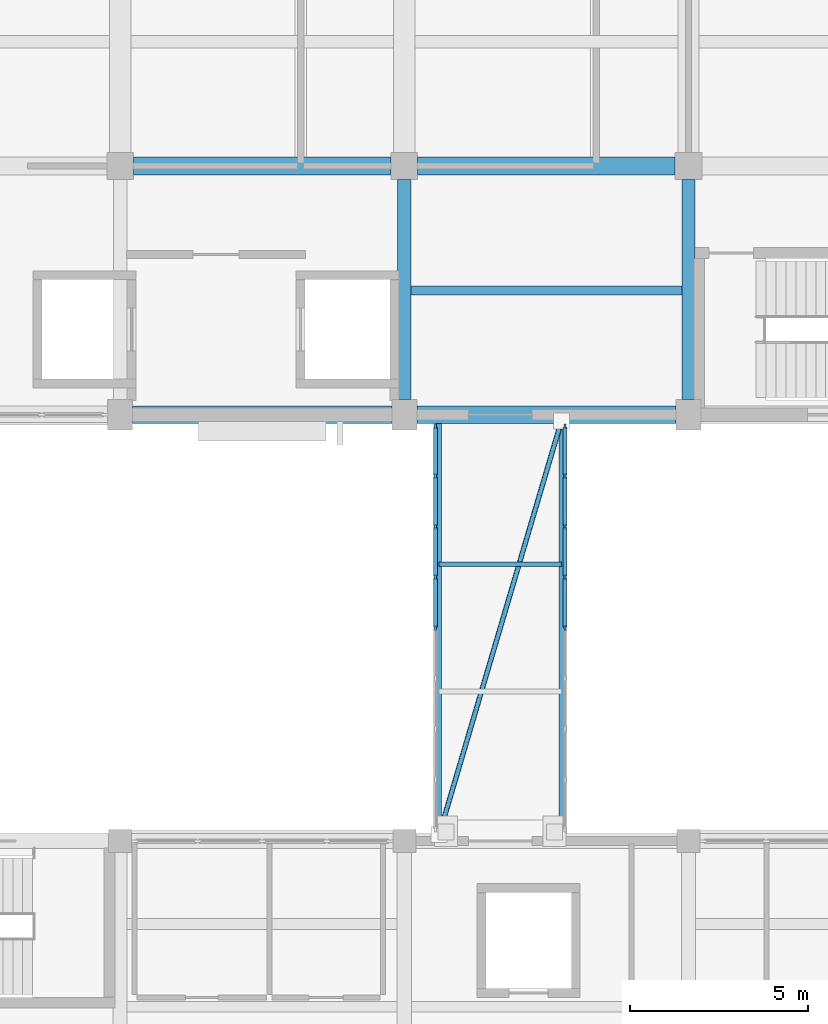
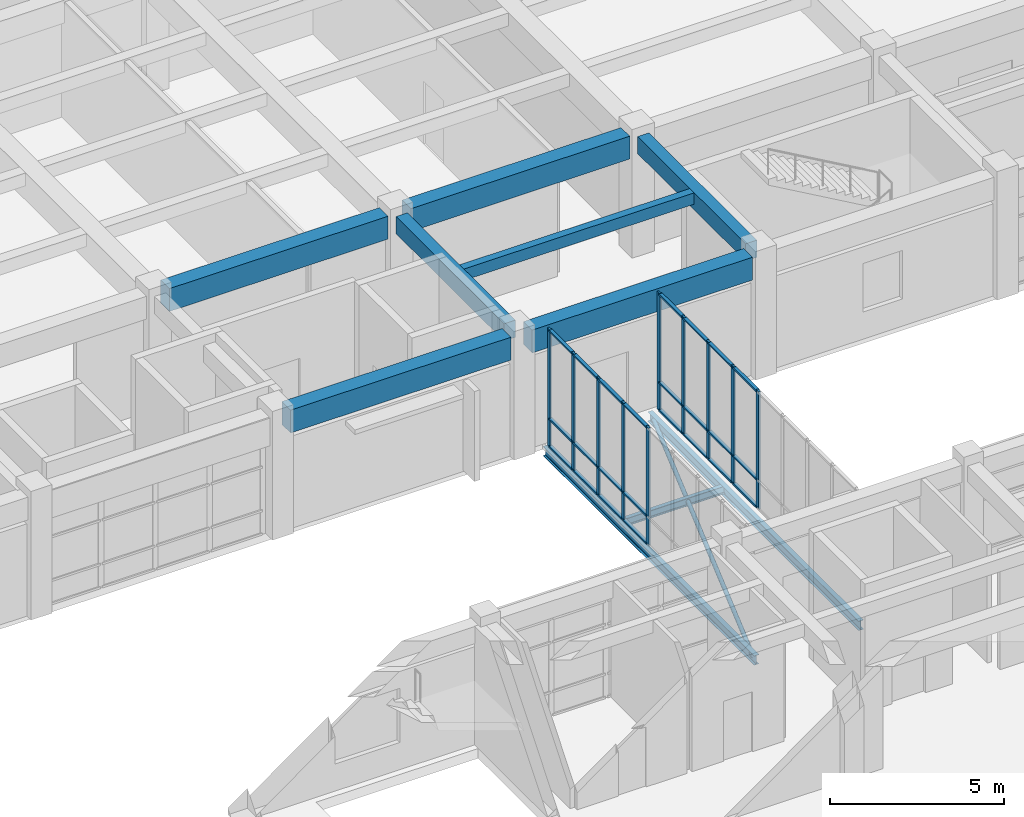
# One storey, part 25 of 72: 35 members, 10 beams, 2 elements without a shape of their own.
"""IFC4 building model written with IfcOpenShell, lengths in metres."""

from ifc_helpers import new_model, si_unit, direction, frame, origin, origin_2d, place, context, subcontext, project, spatial, rectangle, hollow_circle, i_section, extrude, material, layer, layer_set, material_profile, profile_set, type_object, element, aggregate, save


model = new_model("IFC4")

# Units and contexts
model_context = context("Model", 3, precision=1e-05, world=origin(), true_north=direction((0.0, 1.0)))
body_context = subcontext(model_context, "Body", "Model", "MODEL_VIEW")
ifc_project = project(units=[si_unit("LENGTHUNIT", "METRE"), si_unit("AREAUNIT", "SQUARE_METRE"), si_unit("VOLUMEUNIT", "CUBIC_METRE"), si_unit("PLANEANGLEUNIT", "RADIAN"), si_unit("MASSUNIT", "GRAM", prefix="KILO")], contexts=[model_context])

# Site, building, storey
site_placement = place(None, origin())
site = spatial("IfcSite", under=ifc_project, at=site_placement, CompositionType="ELEMENT")
building_placement = place(site_placement, origin())
building = spatial("IfcBuilding", under=site, at=building_placement, Name="Naurynzar Civic Courthouse", CompositionType="ELEMENT")
storey_placement = place(building_placement, frame((0.0, 0.0, 9.89990234375)))
storey = spatial("IfcBuildingStorey", under=building, at=storey_placement, Name="L03", CompositionType="ELEMENT", Elevation=9.89990234375)

# Beams
ifc_material_1 = material(Name="Concrete C40/50", Category="concrete")
ifc_material_profile_1 = material_profile(ifc_material_1, rectangle(XDim=0.25, YDim=0.39990234375, at=origin_2d()), Name="RCB 250x400")
ifc_profile_set_1 = profile_set([ifc_material_profile_1], Name="Concrete C40/50")
beam_type_1 = type_object("IfcBeamType", Name="BM-JST-250x400", PredefinedType="JOIST", material=ifc_profile_set_1)
beam_1_placement = place(storey_placement, frame((93.1875, 47.5, 4.0), z_axis=(1.0, 0.0, 0.0), x_axis=(0.0, 1.0, 0.0)))
element("IfcBeam", 1, at=beam_1_placement, inside=storey, type_object=beam_type_1, Name="V2 secondary rib 621 L03", PredefinedType="JOIST", context=body_context, shape_type="SweptSolid", body=[
    extrude(rectangle(XDim=0.25, YDim=0.39990234375, at=origin_2d()), origin(), (0.0, 0.0, 1.0), 7.625),
])
ifc_material_2 = material(Name="Concrete C40/50", Category="concrete")
ifc_material_profile_2 = material_profile(ifc_material_2, rectangle(XDim=0.375, YDim=0.60009765625, at=origin_2d()), Name="RCB 375x600")
ifc_profile_set_2 = profile_set([ifc_material_profile_2], Name="Concrete C40/50")
beam_type_2 = type_object("IfcBeamType", Name="BM-RC-375x600", PredefinedType="BEAM", material=ifc_profile_set_2)
for number, where, z_axis, x_axis, name in (
    (2, (93.0, 44.425048828125, 3.900146484375), (0.0, 1.0, 0.0), (-1.0, 0.0, 0.0), "V2 girder Y-605 L03"),
    (3, (101.0, 44.425048828125, 3.900146484375), (0.0, 1.0, 0.0), (-1.0, 0.0, 0.0), "V2 girder Y-608 L03"),
):
    element("IfcBeam", number, at=place(storey_placement, frame(where, z_axis=z_axis, x_axis=x_axis)), inside=storey, type_object=beam_type_2, Name=name, PredefinedType="BEAM", context=body_context, shape_type="SweptSolid", body=[
        extrude(rectangle(XDim=0.375, YDim=0.60009765625, at=origin_2d()), origin(), (0.0, 0.0, 1.0), 6.199951171875),
    ])
ifc_material_3 = material(Name="Concrete C40/50", Category="concrete")
ifc_material_profile_3 = material_profile(ifc_material_3, rectangle(XDim=0.5, YDim=0.800048828125, at=origin_2d()), Name="RCB 500x800")
ifc_profile_set_3 = profile_set([ifc_material_profile_3], Name="Concrete C40/50")
beam_type_3 = type_object("IfcBeamType", Name="BM-RC-500x800", PredefinedType="BEAM", material=ifc_profile_set_3)
for number, where, z_axis, x_axis, name in (
    (4, (85.35009765625, 44.0, 3.800048828125), (1.0, 0.0, 0.0), (0.0, 1.0, 0.0), "V2 beam X-564 L03"),
    (5, (93.35009765625, 44.0, 3.800048828125), (1.0, 0.0, 0.0), (0.0, 1.0, 0.0), "V2 beam X-565 L03"),
):
    element("IfcBeam", number, at=place(storey_placement, frame(where, z_axis=z_axis, x_axis=x_axis)), inside=storey, type_object=beam_type_3, Name=name, PredefinedType="BEAM", context=body_context, shape_type="SweptSolid", body=[
        extrude(rectangle(XDim=0.5, YDim=0.800048828125, at=origin_2d()), origin(), (0.0, 0.0, 1.0), 7.2998046875),
    ])
for number, where, z_axis, x_axis, name in (
    (6, (85.375, 51.0, 3.800048828125), (1.0, 0.0, 0.0), (0.0, 1.0, 0.0), "V2 beam X-572 L03"),
    (7, (93.375, 51.0, 3.800048828125), (1.0, 0.0, 0.0), (0.0, 1.0, 0.0), "V2 beam X-573 L03"),
):
    element("IfcBeam", number, at=place(storey_placement, frame(where, z_axis=z_axis, x_axis=x_axis)), inside=storey, type_object=beam_type_3, Name=name, PredefinedType="BEAM", context=body_context, shape_type="SweptSolid", body=[
        extrude(rectangle(XDim=0.5, YDim=0.800048828125, at=origin_2d()), origin(), (0.0, 0.0, 1.0), 7.25),
    ])
ifc_material_4 = material(Name="Steel S355", Category="steel")
ifc_material_profile_4 = material_profile(ifc_material_4, i_section(OverallWidth=0.135009765625, OverallDepth=0.27001953125, WebThickness=0.006591796875, FlangeThickness=0.01025390625, FilletRadius=0.014892578125, at=origin_2d()), Name="IPE 270")
ifc_profile_set_4 = profile_set([ifc_material_profile_4], Name="Steel S355")
beam_type_4 = type_object("IfcBeamType", Name="BM-STL-IPE270", PredefinedType="BEAM", material=ifc_profile_set_4)
beam_2_placement = place(storey_placement, frame((93.969970703125, 39.7939453125, -0.375), z_axis=(1.0, 0.0, 0.0), x_axis=(0.0, 1.0, 0.0)))
element("IfcBeam", 8, at=beam_2_placement, inside=storey, type_object=beam_type_4, Name="BR-C1 deck cross-beam L03.2", PredefinedType="BEAM", context=body_context, shape_type="SweptSolid", body=[
    extrude(i_section(OverallWidth=0.135009765625, OverallDepth=0.27001953125, WebThickness=0.006591796875, FlangeThickness=0.01025390625, FilletRadius=0.014892578125, at=origin_2d()), origin(), (0.0, 0.0, 1.0), 3.4599609375),
])
ifc_material_5 = material(Name="Steel S355", Category="steel")
ifc_material_profile_5 = material_profile(ifc_material_5, i_section(OverallWidth=0.159912109375, OverallDepth=0.330078125, WebThickness=0.007568359375, FlangeThickness=0.011474609375, FilletRadius=0.01806640625, at=origin_2d()), Name="IPE 330")
ifc_profile_set_5 = profile_set([ifc_material_profile_5], Name="Steel S355")
beam_type_5 = type_object("IfcBeamType", Name="BM-STL-IPE330", PredefinedType="BEAM", material=ifc_profile_set_5)
for number, where, z_axis, x_axis, name in (
    (9, (93.969970703125, 31.949951171875, -0.40478515625), (0.0, 1.0, 0.0), (-1.0, 0.0, 0.0), "BR-C1 edge steel beam L03.1"),
    (10, (97.429931640625, 31.949951171875, -0.40478515625), (0.0, 1.0, 0.0), (-1.0, 0.0, 0.0), "BR-C1 edge steel beam L03.2"),
):
    element("IfcBeam", number, at=place(storey_placement, frame(where, z_axis=z_axis, x_axis=x_axis)), inside=storey, type_object=beam_type_5, Name=name, PredefinedType="BEAM", context=body_context, shape_type="SweptSolid", body=[
        extrude(i_section(OverallWidth=0.159912109375, OverallDepth=0.330078125, WebThickness=0.007568359375, FlangeThickness=0.011474609375, FilletRadius=0.01806640625, at=origin_2d()), origin(), (0.0, 0.0, 1.0), 12.10009765625),
    ])

# Curtain wall, members
ifc_material_6 = material(Name="Aluminium 6063-T6", Category="aluminium")
ifc_layer = layer(ifc_material_6, 0.14990234375)
ifc_layer_set = layer_set([ifc_layer], Name="CW-BRIDGE-1500")
curtain_wall_type = type_object("IfcCurtainWallType", Name="CW-BRIDGE-1500", PredefinedType="USERDEFINED", material=ifc_layer_set)
curtain_wall_1_placement = place(storey_placement, origin())
curtain_wall_1 = element("IfcCurtainWall", 11, at=curtain_wall_1_placement, inside=storey, type_object=curtain_wall_type, Name="BR-C1 glazed bridge screen L03.1", ObjectType="GLAZED BRIDGE SCREEN", PredefinedType="USERDEFINED")
ifc_material_7 = material(Name="Aluminium 6063-T6", Category="aluminium")
ifc_material_profile_6 = material_profile(ifc_material_7, rectangle(XDim=0.06005859375, YDim=0.14990234375, at=origin_2d()), Name="ALU MULLION 60x150")
ifc_profile_set_6 = profile_set([ifc_material_profile_6], Name="Aluminium 6063-T6")
member_type_1 = type_object("IfcMemberType", Name="CWM-60x150", PredefinedType="MULLION", material=ifc_profile_set_6)
member_1_placement = place(storey_placement, frame((93.8798828125, 43.669921875, 0.0), z_axis=(0.0, 0.0, 1.0), x_axis=(1.0, 0.0, 0.0)))
member_1 = element("IfcMember", 12, at=member_1_placement, type_object=member_type_1, Name="CW-03 mullion 1", PredefinedType="MULLION", context=body_context, shape_type="SweptSolid", body=[
    extrude(rectangle(XDim=0.06005859375, YDim=0.14990234375, at=origin_2d()), origin(), (0.0, 0.0, 1.0), 4.1201171875),
])
member_2_placement = place(storey_placement, frame((93.8798828125, 42.27490234375, 0.0), z_axis=(0.0, 0.0, 1.0), x_axis=(1.0, 0.0, 0.0)))
member_2 = element("IfcMember", 13, at=member_2_placement, type_object=member_type_1, Name="CW-03 mullion 2", PredefinedType="MULLION", context=body_context, shape_type="SweptSolid", body=[
    extrude(rectangle(XDim=0.06005859375, YDim=0.14990234375, at=origin_2d()), origin(), (0.0, 0.0, 1.0), 4.1201171875),
])
member_3_placement = place(storey_placement, frame((93.8798828125, 40.85009765625, 0.0), z_axis=(0.0, 0.0, 1.0), x_axis=(1.0, 0.0, 0.0)))
member_3 = element("IfcMember", 14, at=member_3_placement, type_object=member_type_1, Name="CW-03 mullion 3", PredefinedType="MULLION", context=body_context, shape_type="SweptSolid", body=[
    extrude(rectangle(XDim=0.06005859375, YDim=0.14990234375, at=origin_2d()), origin(), (0.0, 0.0, 1.0), 4.1201171875),
])
member_4_placement = place(storey_placement, frame((93.8798828125, 39.425048828125, 0.0), z_axis=(0.0, 0.0, 1.0), x_axis=(1.0, 0.0, 0.0)))
member_4 = element("IfcMember", 15, at=member_4_placement, type_object=member_type_1, Name="CW-03 mullion 4", PredefinedType="MULLION", context=body_context, shape_type="SweptSolid", body=[
    extrude(rectangle(XDim=0.06005859375, YDim=0.14990234375, at=origin_2d()), origin(), (0.0, 0.0, 1.0), 4.1201171875),
])
member_5_placement = place(storey_placement, frame((93.8798828125, 38.0, 0.0), z_axis=(0.0, 0.0, 1.0), x_axis=(1.0, 0.0, 0.0)))
member_5 = element("IfcMember", 16, at=member_5_placement, type_object=member_type_1, Name="CW-03 mullion 5", PredefinedType="MULLION", context=body_context, shape_type="SweptSolid", body=[
    extrude(rectangle(XDim=0.06005859375, YDim=0.14990234375, at=origin_2d()), origin(), (0.0, 0.0, 1.0), 4.1201171875),
])

curtain_wall_2_placement = place(storey_placement, origin())
curtain_wall_2 = element("IfcCurtainWall", 17, at=curtain_wall_2_placement, inside=storey, type_object=curtain_wall_type, Name="BR-C1 glazed bridge screen L03.2", ObjectType="GLAZED BRIDGE SCREEN", PredefinedType="USERDEFINED")
member_6_placement = place(storey_placement, frame((97.52001953125, 38.0, 0.0), z_axis=(0.0, 0.0, 1.0), x_axis=(-1.0, 0.0, 0.0)))
member_6 = element("IfcMember", 18, at=member_6_placement, type_object=member_type_1, Name="CW-03 mullion 5", PredefinedType="MULLION", context=body_context, shape_type="SweptSolid", body=[
    extrude(rectangle(XDim=0.06005859375, YDim=0.14990234375, at=origin_2d()), origin(), (0.0, 0.0, 1.0), 4.1201171875),
])
member_7_placement = place(storey_placement, frame((97.52001953125, 39.425048828125, 0.0), z_axis=(0.0, 0.0, 1.0), x_axis=(-1.0, 0.0, 0.0)))
member_7 = element("IfcMember", 19, at=member_7_placement, type_object=member_type_1, Name="CW-03 mullion 6", PredefinedType="MULLION", context=body_context, shape_type="SweptSolid", body=[
    extrude(rectangle(XDim=0.06005859375, YDim=0.14990234375, at=origin_2d()), origin(), (0.0, 0.0, 1.0), 4.1201171875),
])
member_8_placement = place(storey_placement, frame((97.52001953125, 40.85009765625, 0.0), z_axis=(0.0, 0.0, 1.0), x_axis=(-1.0, 0.0, 0.0)))
member_8 = element("IfcMember", 20, at=member_8_placement, type_object=member_type_1, Name="CW-03 mullion 7", PredefinedType="MULLION", context=body_context, shape_type="SweptSolid", body=[
    extrude(rectangle(XDim=0.06005859375, YDim=0.14990234375, at=origin_2d()), origin(), (0.0, 0.0, 1.0), 4.1201171875),
])
member_9_placement = place(storey_placement, frame((97.52001953125, 42.27490234375, 0.0), z_axis=(0.0, 0.0, 1.0), x_axis=(-1.0, 0.0, 0.0)))
member_9 = element("IfcMember", 21, at=member_9_placement, type_object=member_type_1, Name="CW-03 mullion 8", PredefinedType="MULLION", context=body_context, shape_type="SweptSolid", body=[
    extrude(rectangle(XDim=0.06005859375, YDim=0.14990234375, at=origin_2d()), origin(), (0.0, 0.0, 1.0), 4.1201171875),
])
member_10_placement = place(storey_placement, frame((97.52001953125, 43.669921875, 0.0), z_axis=(0.0, 0.0, 1.0), x_axis=(-1.0, 0.0, 0.0)))
member_10 = element("IfcMember", 22, at=member_10_placement, type_object=member_type_1, Name="CW-03 mullion 9", PredefinedType="MULLION", context=body_context, shape_type="SweptSolid", body=[
    extrude(rectangle(XDim=0.06005859375, YDim=0.14990234375, at=origin_2d()), origin(), (0.0, 0.0, 1.0), 4.1201171875),
])

# Member
ifc_material_8 = material(Name="Aluminium 6063-T6", Category="aluminium")
ifc_material_profile_7 = material_profile(ifc_material_8, rectangle(XDim=0.110107421875, YDim=0.06005859375, at=origin_2d()), Name="ALU TRANSOM 60x110")
ifc_profile_set_7 = profile_set([ifc_material_profile_7], Name="Aluminium 6063-T6")
member_type_2 = type_object("IfcMemberType", Name="CWT-60x110", PredefinedType="USERDEFINED", material=ifc_profile_set_7)
member_11_placement = place(storey_placement, frame((93.8798828125, 43.639892578125, 0.030029296875), z_axis=(0.0, -1.0, 0.0), x_axis=(1.0, 0.0, 0.0)))
member_11 = element("IfcMember", 23, at=member_11_placement, type_object=member_type_2, Name="CW-03 transom 1.1", ObjectType="TRANSOM", PredefinedType="USERDEFINED", context=body_context, shape_type="SweptSolid", body=[
    extrude(rectangle(XDim=0.110107421875, YDim=0.06005859375, at=origin_2d()), origin(), (0.0, 0.0, 1.0), 1.3349609375),
])

member_12_placement = place(storey_placement, frame((93.8798828125, 43.639892578125, 1.0), z_axis=(0.0, -1.0, 0.0), x_axis=(1.0, 0.0, 0.0)))
member_12 = element("IfcMember", 24, at=member_12_placement, type_object=member_type_2, Name="CW-03 transom 1.2", ObjectType="TRANSOM", PredefinedType="USERDEFINED", context=body_context, shape_type="SweptSolid", body=[
    extrude(rectangle(XDim=0.110107421875, YDim=0.06005859375, at=origin_2d()), origin(), (0.0, 0.0, 1.0), 1.3349609375),
])

member_13_placement = place(storey_placement, frame((93.8798828125, 43.639892578125, 4.090087890625), z_axis=(0.0, -1.0, 0.0), x_axis=(1.0, 0.0, 0.0)))
member_13 = element("IfcMember", 25, at=member_13_placement, type_object=member_type_2, Name="CW-03 transom 1.3", ObjectType="TRANSOM", PredefinedType="USERDEFINED", context=body_context, shape_type="SweptSolid", body=[
    extrude(rectangle(XDim=0.110107421875, YDim=0.06005859375, at=origin_2d()), origin(), (0.0, 0.0, 1.0), 1.3349609375),
])

member_14_placement = place(storey_placement, frame((93.8798828125, 42.2451171875, 0.030029296875), z_axis=(0.0, -1.0, 0.0), x_axis=(1.0, 0.0, 0.0)))
member_14 = element("IfcMember", 26, at=member_14_placement, type_object=member_type_2, Name="CW-03 transom 2.1", ObjectType="TRANSOM", PredefinedType="USERDEFINED", context=body_context, shape_type="SweptSolid", body=[
    extrude(rectangle(XDim=0.110107421875, YDim=0.06005859375, at=origin_2d()), origin(), (0.0, 0.0, 1.0), 1.365234375),
])

member_15_placement = place(storey_placement, frame((93.8798828125, 42.2451171875, 1.0), z_axis=(0.0, -1.0, 0.0), x_axis=(1.0, 0.0, 0.0)))
member_15 = element("IfcMember", 27, at=member_15_placement, type_object=member_type_2, Name="CW-03 transom 2.2", ObjectType="TRANSOM", PredefinedType="USERDEFINED", context=body_context, shape_type="SweptSolid", body=[
    extrude(rectangle(XDim=0.110107421875, YDim=0.06005859375, at=origin_2d()), origin(), (0.0, 0.0, 1.0), 1.365234375),
])

member_16_placement = place(storey_placement, frame((93.8798828125, 42.2451171875, 4.090087890625), z_axis=(0.0, -1.0, 0.0), x_axis=(1.0, 0.0, 0.0)))
member_16 = element("IfcMember", 28, at=member_16_placement, type_object=member_type_2, Name="CW-03 transom 2.3", ObjectType="TRANSOM", PredefinedType="USERDEFINED", context=body_context, shape_type="SweptSolid", body=[
    extrude(rectangle(XDim=0.110107421875, YDim=0.06005859375, at=origin_2d()), origin(), (0.0, 0.0, 1.0), 1.365234375),
])

member_17_placement = place(storey_placement, frame((93.8798828125, 40.820068359375, 0.030029296875), z_axis=(0.0, -1.0, 0.0), x_axis=(1.0, 0.0, 0.0)))
member_17 = element("IfcMember", 29, at=member_17_placement, type_object=member_type_2, Name="CW-03 transom 3.1", ObjectType="TRANSOM", PredefinedType="USERDEFINED", context=body_context, shape_type="SweptSolid", body=[
    extrude(rectangle(XDim=0.110107421875, YDim=0.06005859375, at=origin_2d()), origin(), (0.0, 0.0, 1.0), 1.364990234375),
])

member_18_placement = place(storey_placement, frame((93.8798828125, 40.820068359375, 1.0), z_axis=(0.0, -1.0, 0.0), x_axis=(1.0, 0.0, 0.0)))
member_18 = element("IfcMember", 30, at=member_18_placement, type_object=member_type_2, Name="CW-03 transom 3.2", ObjectType="TRANSOM", PredefinedType="USERDEFINED", context=body_context, shape_type="SweptSolid", body=[
    extrude(rectangle(XDim=0.110107421875, YDim=0.06005859375, at=origin_2d()), origin(), (0.0, 0.0, 1.0), 1.364990234375),
])

member_19_placement = place(storey_placement, frame((93.8798828125, 40.820068359375, 4.090087890625), z_axis=(0.0, -1.0, 0.0), x_axis=(1.0, 0.0, 0.0)))
member_19 = element("IfcMember", 31, at=member_19_placement, type_object=member_type_2, Name="CW-03 transom 3.3", ObjectType="TRANSOM", PredefinedType="USERDEFINED", context=body_context, shape_type="SweptSolid", body=[
    extrude(rectangle(XDim=0.110107421875, YDim=0.06005859375, at=origin_2d()), origin(), (0.0, 0.0, 1.0), 1.364990234375),
])

member_20_placement = place(storey_placement, frame((93.8798828125, 39.39501953125, 0.030029296875), z_axis=(0.0, -1.0, 0.0), x_axis=(1.0, 0.0, 0.0)))
member_20 = element("IfcMember", 32, at=member_20_placement, type_object=member_type_2, Name="CW-03 transom 4.1", ObjectType="TRANSOM", PredefinedType="USERDEFINED", context=body_context, shape_type="SweptSolid", body=[
    extrude(rectangle(XDim=0.110107421875, YDim=0.06005859375, at=origin_2d()), origin(), (0.0, 0.0, 1.0), 1.364990234375),
])

member_21_placement = place(storey_placement, frame((93.8798828125, 39.39501953125, 1.0), z_axis=(0.0, -1.0, 0.0), x_axis=(1.0, 0.0, 0.0)))
member_21 = element("IfcMember", 33, at=member_21_placement, type_object=member_type_2, Name="CW-03 transom 4.2", ObjectType="TRANSOM", PredefinedType="USERDEFINED", context=body_context, shape_type="SweptSolid", body=[
    extrude(rectangle(XDim=0.110107421875, YDim=0.06005859375, at=origin_2d()), origin(), (0.0, 0.0, 1.0), 1.364990234375),
])

member_22_placement = place(storey_placement, frame((93.8798828125, 39.39501953125, 4.090087890625), z_axis=(0.0, -1.0, 0.0), x_axis=(1.0, 0.0, 0.0)))
member_22 = element("IfcMember", 34, at=member_22_placement, type_object=member_type_2, Name="CW-03 transom 4.3", ObjectType="TRANSOM", PredefinedType="USERDEFINED", context=body_context, shape_type="SweptSolid", body=[
    extrude(rectangle(XDim=0.110107421875, YDim=0.06005859375, at=origin_2d()), origin(), (0.0, 0.0, 1.0), 1.364990234375),
])

aggregate(curtain_wall_1, [member_1, member_2, member_3, member_4, member_5, member_11, member_12, member_13, member_14, member_15, member_16, member_17, member_18, member_19, member_20, member_21, member_22])

member_23_placement = place(storey_placement, frame((97.52001953125, 38.030029296875, 0.030029296875), z_axis=(0.0, 1.0, 0.0), x_axis=(-1.0, 0.0, 0.0)))
member_23 = element("IfcMember", 35, at=member_23_placement, type_object=member_type_2, Name="CW-03 transom 5.1", ObjectType="TRANSOM", PredefinedType="USERDEFINED", context=body_context, shape_type="SweptSolid", body=[
    extrude(rectangle(XDim=0.110107421875, YDim=0.06005859375, at=origin_2d()), origin(), (0.0, 0.0, 1.0), 1.364990234375),
])

member_24_placement = place(storey_placement, frame((97.52001953125, 38.030029296875, 1.0), z_axis=(0.0, 1.0, 0.0), x_axis=(-1.0, 0.0, 0.0)))
member_24 = element("IfcMember", 36, at=member_24_placement, type_object=member_type_2, Name="CW-03 transom 5.2", ObjectType="TRANSOM", PredefinedType="USERDEFINED", context=body_context, shape_type="SweptSolid", body=[
    extrude(rectangle(XDim=0.110107421875, YDim=0.06005859375, at=origin_2d()), origin(), (0.0, 0.0, 1.0), 1.364990234375),
])

member_25_placement = place(storey_placement, frame((97.52001953125, 38.030029296875, 4.090087890625), z_axis=(0.0, 1.0, 0.0), x_axis=(-1.0, 0.0, 0.0)))
member_25 = element("IfcMember", 37, at=member_25_placement, type_object=member_type_2, Name="CW-03 transom 5.3", ObjectType="TRANSOM", PredefinedType="USERDEFINED", context=body_context, shape_type="SweptSolid", body=[
    extrude(rectangle(XDim=0.110107421875, YDim=0.06005859375, at=origin_2d()), origin(), (0.0, 0.0, 1.0), 1.364990234375),
])

member_26_placement = place(storey_placement, frame((97.52001953125, 39.455078125, 0.030029296875), z_axis=(0.0, 1.0, 0.0), x_axis=(-1.0, 0.0, 0.0)))
member_26 = element("IfcMember", 38, at=member_26_placement, type_object=member_type_2, Name="CW-03 transom 6.1", ObjectType="TRANSOM", PredefinedType="USERDEFINED", context=body_context, shape_type="SweptSolid", body=[
    extrude(rectangle(XDim=0.110107421875, YDim=0.06005859375, at=origin_2d()), origin(), (0.0, 0.0, 1.0), 1.364990234375),
])

member_27_placement = place(storey_placement, frame((97.52001953125, 39.455078125, 1.0), z_axis=(0.0, 1.0, 0.0), x_axis=(-1.0, 0.0, 0.0)))
member_27 = element("IfcMember", 39, at=member_27_placement, type_object=member_type_2, Name="CW-03 transom 6.2", ObjectType="TRANSOM", PredefinedType="USERDEFINED", context=body_context, shape_type="SweptSolid", body=[
    extrude(rectangle(XDim=0.110107421875, YDim=0.06005859375, at=origin_2d()), origin(), (0.0, 0.0, 1.0), 1.364990234375),
])

member_28_placement = place(storey_placement, frame((97.52001953125, 39.455078125, 4.090087890625), z_axis=(0.0, 1.0, 0.0), x_axis=(-1.0, 0.0, 0.0)))
member_28 = element("IfcMember", 40, at=member_28_placement, type_object=member_type_2, Name="CW-03 transom 6.3", ObjectType="TRANSOM", PredefinedType="USERDEFINED", context=body_context, shape_type="SweptSolid", body=[
    extrude(rectangle(XDim=0.110107421875, YDim=0.06005859375, at=origin_2d()), origin(), (0.0, 0.0, 1.0), 1.364990234375),
])

member_29_placement = place(storey_placement, frame((97.52001953125, 40.8798828125, 0.030029296875), z_axis=(0.0, 1.0, 0.0), x_axis=(-1.0, 0.0, 0.0)))
member_29 = element("IfcMember", 41, at=member_29_placement, type_object=member_type_2, Name="CW-03 transom 7.1", ObjectType="TRANSOM", PredefinedType="USERDEFINED", context=body_context, shape_type="SweptSolid", body=[
    extrude(rectangle(XDim=0.110107421875, YDim=0.06005859375, at=origin_2d()), origin(), (0.0, 0.0, 1.0), 1.365234375),
])

member_30_placement = place(storey_placement, frame((97.52001953125, 40.8798828125, 1.0), z_axis=(0.0, 1.0, 0.0), x_axis=(-1.0, 0.0, 0.0)))
member_30 = element("IfcMember", 42, at=member_30_placement, type_object=member_type_2, Name="CW-03 transom 7.2", ObjectType="TRANSOM", PredefinedType="USERDEFINED", context=body_context, shape_type="SweptSolid", body=[
    extrude(rectangle(XDim=0.110107421875, YDim=0.06005859375, at=origin_2d()), origin(), (0.0, 0.0, 1.0), 1.365234375),
])

member_31_placement = place(storey_placement, frame((97.52001953125, 40.8798828125, 4.090087890625), z_axis=(0.0, 1.0, 0.0), x_axis=(-1.0, 0.0, 0.0)))
member_31 = element("IfcMember", 43, at=member_31_placement, type_object=member_type_2, Name="CW-03 transom 7.3", ObjectType="TRANSOM", PredefinedType="USERDEFINED", context=body_context, shape_type="SweptSolid", body=[
    extrude(rectangle(XDim=0.110107421875, YDim=0.06005859375, at=origin_2d()), origin(), (0.0, 0.0, 1.0), 1.365234375),
])

member_32_placement = place(storey_placement, frame((97.52001953125, 42.304931640625, 0.030029296875), z_axis=(0.0, 1.0, 0.0), x_axis=(-1.0, 0.0, 0.0)))
member_32 = element("IfcMember", 44, at=member_32_placement, type_object=member_type_2, Name="CW-03 transom 8.1", ObjectType="TRANSOM", PredefinedType="USERDEFINED", context=body_context, shape_type="SweptSolid", body=[
    extrude(rectangle(XDim=0.110107421875, YDim=0.06005859375, at=origin_2d()), origin(), (0.0, 0.0, 1.0), 1.3349609375),
])

member_33_placement = place(storey_placement, frame((97.52001953125, 42.304931640625, 1.0), z_axis=(0.0, 1.0, 0.0), x_axis=(-1.0, 0.0, 0.0)))
member_33 = element("IfcMember", 45, at=member_33_placement, type_object=member_type_2, Name="CW-03 transom 8.2", ObjectType="TRANSOM", PredefinedType="USERDEFINED", context=body_context, shape_type="SweptSolid", body=[
    extrude(rectangle(XDim=0.110107421875, YDim=0.06005859375, at=origin_2d()), origin(), (0.0, 0.0, 1.0), 1.3349609375),
])

member_34_placement = place(storey_placement, frame((97.52001953125, 42.304931640625, 4.090087890625), z_axis=(0.0, 1.0, 0.0), x_axis=(-1.0, 0.0, 0.0)))
member_34 = element("IfcMember", 46, at=member_34_placement, type_object=member_type_2, Name="CW-03 transom 8.3", ObjectType="TRANSOM", PredefinedType="USERDEFINED", context=body_context, shape_type="SweptSolid", body=[
    extrude(rectangle(XDim=0.110107421875, YDim=0.06005859375, at=origin_2d()), origin(), (0.0, 0.0, 1.0), 1.3349609375),
])

aggregate(curtain_wall_2, [member_6, member_7, member_8, member_9, member_10, member_23, member_24, member_25, member_26, member_27, member_28, member_29, member_30, member_31, member_32, member_33, member_34])

ifc_material_9 = material(Name="Steel S355", Category="steel")
ifc_material_profile_8 = material_profile(ifc_material_9, hollow_circle(Radius=0.06982421875, WallThickness=0.008056640625, at=origin_2d()), Name="CHS 139.7x8")
ifc_profile_set_8 = profile_set([ifc_material_profile_8], Name="Steel S355")
member_type_3 = type_object("IfcMemberType", Name="MEM-BRACE-CHS139", PredefinedType="BRACE", material=ifc_profile_set_8)
member_35_placement = place(storey_placement, frame((93.97998046875, 32.179931640625, -0.40478515625), z_axis=(0.283407524243, 0.95899956997, 0.0), x_axis=(-0.95899956997, 0.283407524243, 0.0)))
element("IfcMember", 47, at=member_35_placement, inside=storey, type_object=member_type_3, Name="BR-C1 wind brace L03.1", PredefinedType="BRACE", context=body_context, shape_type="SweptSolid", body=[
    extrude(hollow_circle(Radius=0.06982421875, WallThickness=0.008056640625, at=origin_2d()), origin(), (0.0, 0.0, 1.0), 12.1376953125),
])

save(model, "model.ifc")
